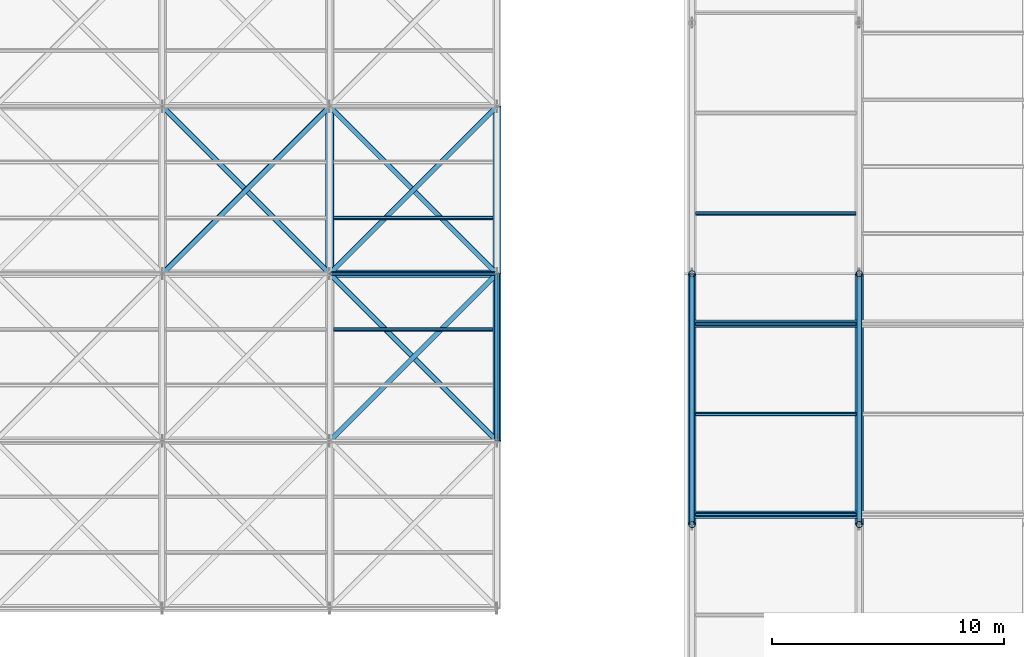
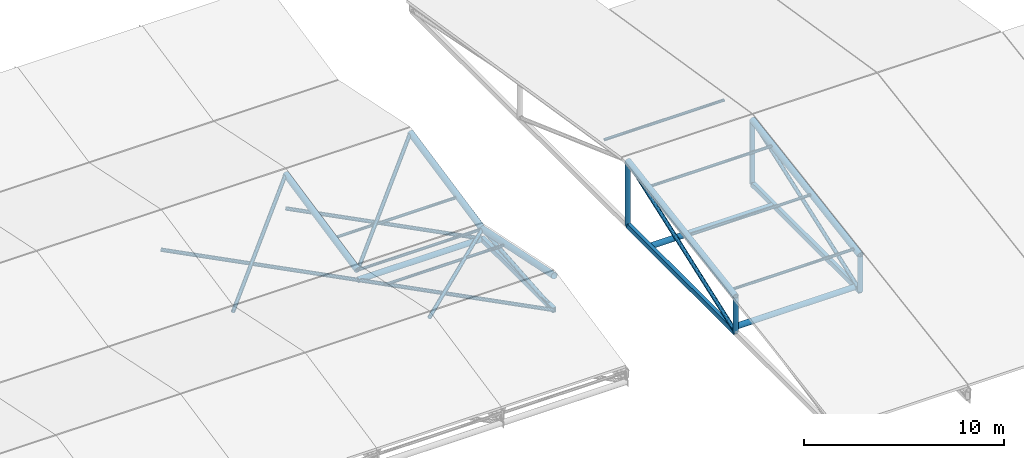
# One storey, part 32 of 72: 23 members, 8 beams.
"""IFC4 building model written with IfcOpenShell, lengths in metres."""

from ifc_helpers import new_model, si_unit, direction, frame, origin, origin_2d, place, context, subcontext, project, spatial, hollow_rectangle, hollow_circle, extrude, material, material_profile, profile_set, type_object, element, save


model = new_model("IFC4")

# Units and contexts
model_context = context("Model", 3, precision=1e-05, world=origin(), true_north=direction((0.0, 1.0)))
body_context = subcontext(model_context, "Body", "Model", "MODEL_VIEW")
ifc_project = project(units=[si_unit("LENGTHUNIT", "METRE"), si_unit("AREAUNIT", "SQUARE_METRE"), si_unit("VOLUMEUNIT", "CUBIC_METRE"), si_unit("PLANEANGLEUNIT", "RADIAN"), si_unit("MASSUNIT", "GRAM", prefix="KILO")], contexts=[model_context])

# Site, building, storey
site_placement = place(None, origin())
site = spatial("IfcSite", under=ifc_project, at=site_placement, CompositionType="ELEMENT")
building_placement = place(site_placement, origin())
building = spatial("IfcBuilding", under=site, at=building_placement, Name="Vaelcorin Mobility Hub", CompositionType="ELEMENT")
storey_placement = place(building_placement, frame((0.0, 0.0, 25.800048828125)))
storey = spatial("IfcBuildingStorey", under=building, at=storey_placement, Name="RF", CompositionType="ELEMENT", Elevation=25.800048828125)

# Members
ifc_material = material(Name="Steel ASTM A500 Grade C", Category="steel")
ifc_material_profile_1 = material_profile(ifc_material, hollow_circle(Radius=0.161865234375, WallThickness=0.0126953125, at=origin_2d()), Name="HSS12.750X0.500")
ifc_profile_set_1 = profile_set([ifc_material_profile_1], Name="Steel ASTM A500 Grade C")
member_type_1 = type_object("IfcMemberType", Name="SF-CHORD-12", PredefinedType="CHORD", material=ifc_profile_set_1)
member_1_placement = place(storey_placement, frame((108.0, 98.39990234375, -2.10009765625), z_axis=(1.0, 0.0, 0.0), x_axis=(0.0, 1.0, 0.0)))
element("IfcMember", 1, at=member_1_placement, inside=storey, type_object=member_type_1, Name="Sports Truss Lower Tie Strut 11-2", PredefinedType="CHORD", context=body_context, shape_type="SweptSolid", body=[
    extrude(hollow_circle(Radius=0.161865234375, WallThickness=0.0126953125, at=origin_2d()), origin(), (0.0, 0.0, 1.0), 7.199951171875),
])
for number, where, z_axis, x_axis, name in (
    (2, (123.697998046875, 88.031982421875, -4.199951171875), (1.0, 0.0, 0.0), (0.0, 1.0, 0.0), "V2E Drum Truss Tie Strut 1-3"),
    (3, (123.697998046875, 96.239990234375, -4.199951171875), (1.0, 0.0, 0.0), (0.0, 1.0, 0.0), "V2E Drum Truss Tie Strut 1-5"),
):
    element("IfcMember", number, at=place(storey_placement, frame(where, z_axis=z_axis, x_axis=x_axis)), inside=storey, type_object=member_type_1, Name=name, PredefinedType="CHORD", context=body_context, shape_type="SweptSolid", body=[
        extrude(hollow_circle(Radius=0.161865234375, WallThickness=0.0126953125, at=origin_2d()), origin(), (0.0, 0.0, 1.0), 7.00390625),
    ])
ifc_material_profile_2 = material_profile(ifc_material, hollow_circle(Radius=0.109619140625, WallThickness=0.009521484375, at=origin_2d()), Name="HSS8.625X0.375")
ifc_profile_set_2 = profile_set([ifc_material_profile_2], Name="Steel ASTM A500 Grade C")
member_type_2 = type_object("IfcMemberType", Name="SF-DIAG-8", PredefinedType="BRACE", material=ifc_profile_set_2)
member_2_placement = place(storey_placement, frame((100.800048828125, 98.39990234375, -1.5), z_axis=(0.699545135531, 0.699568856162, 0.145739558262), x_axis=(-0.7071187694, 0.70709479277, 0.0)))
element("IfcMember", 4, at=member_2_placement, inside=storey, type_object=member_type_2, Name="Sports Roof Space-Truss Plan Brace 10-3", PredefinedType="BRACE", context=body_context, shape_type="SweptSolid", body=[
    extrude(hollow_circle(Radius=0.109619140625, WallThickness=0.009521484375, at=origin_2d()), origin(), (0.0, 0.0, 1.0), 10.292236328125),
])
member_3_placement = place(storey_placement, frame((108.0, 98.39990234375, -2.10009765625), z_axis=(-0.70709479277, 0.7071187694, 0.0), x_axis=(-0.7071187694, -0.70709479277, 0.0)))
element("IfcMember", 5, at=member_3_placement, inside=storey, type_object=member_type_2, Name="Sports Truss Lower Plan Brace 10-3", PredefinedType="BRACE", context=body_context, shape_type="SweptSolid", body=[
    extrude(hollow_circle(Radius=0.109619140625, WallThickness=0.009521484375, at=origin_2d()), origin(), (0.0, 0.0, 1.0), 10.182373046875),
])
member_4_placement = place(storey_placement, frame((108.0, 91.199951171875, 0.0), z_axis=(0.699556744026, 0.699556744026, -0.145741976715), x_axis=(-0.707106781187, 0.707106781187, 0.0)))
element("IfcMember", 6, at=member_4_placement, inside=storey, type_object=member_type_2, Name="Sports Roof Space-Truss Plan Brace 11-2", PredefinedType="BRACE", context=body_context, shape_type="SweptSolid", body=[
    extrude(hollow_circle(Radius=0.109619140625, WallThickness=0.009521484375, at=origin_2d()), origin(), (0.0, 0.0, 1.0), 10.292236328125),
])
member_5_placement = place(storey_placement, frame((115.199951171875, 91.199951171875, -2.10009765625), z_axis=(-0.707106781187, 0.707106781187, 0.0), x_axis=(-0.707106781187, -0.707106781187, 0.0)))
element("IfcMember", 7, at=member_5_placement, inside=storey, type_object=member_type_2, Name="Sports Truss Lower Plan Brace 11-2", PredefinedType="BRACE", context=body_context, shape_type="SweptSolid", body=[
    extrude(hollow_circle(Radius=0.109619140625, WallThickness=0.009521484375, at=origin_2d()), origin(), (0.0, 0.0, 1.0), 10.182373046875),
])
member_6_placement = place(storey_placement, frame((108.0, 98.39990234375, -1.5), z_axis=(0.699545135531, 0.699568856162, 0.145739558262), x_axis=(-0.7071187694, 0.70709479277, 0.0)))
element("IfcMember", 8, at=member_6_placement, inside=storey, type_object=member_type_2, Name="Sports Roof Space-Truss Plan Brace 11-3", PredefinedType="BRACE", context=body_context, shape_type="SweptSolid", body=[
    extrude(hollow_circle(Radius=0.109619140625, WallThickness=0.009521484375, at=origin_2d()), origin(), (0.0, 0.0, 1.0), 10.292236328125),
])
member_7_placement = place(storey_placement, frame((115.199951171875, 98.39990234375, -2.10009765625), z_axis=(-0.70709479277, 0.7071187694, 0.0), x_axis=(-0.7071187694, -0.70709479277, 0.0)))
element("IfcMember", 9, at=member_7_placement, inside=storey, type_object=member_type_2, Name="Sports Truss Lower Plan Brace 11-3", PredefinedType="BRACE", context=body_context, shape_type="SweptSolid", body=[
    extrude(hollow_circle(Radius=0.109619140625, WallThickness=0.009521484375, at=origin_2d()), origin(), (0.0, 0.0, 1.0), 10.182373046875),
])
ifc_material_profile_3 = material_profile(ifc_material, hollow_circle(Radius=0.136474609375, WallThickness=0.0126953125, at=origin_2d()), Name="HSS10.750X0.500")
ifc_profile_set_3 = profile_set([ifc_material_profile_3], Name="Steel ASTM A500 Grade C")
member_type_3 = type_object("IfcMemberType", Name="SF-POST-10", PredefinedType="POST", material=ifc_profile_set_3)
member_8_placement = place(storey_placement, frame((123.60009765625, 87.60009765625, -4.199951171875), z_axis=(0.0, 0.0, 1.0), x_axis=(1.0, 0.0, 0.0)))
element("IfcMember", 10, at=member_8_placement, inside=storey, type_object=member_type_3, Name="V2E Drum Roof Truss Post 1-1", PredefinedType="POST", context=body_context, shape_type="SweptSolid", body=[
    extrude(hollow_circle(Radius=0.136474609375, WallThickness=0.0126953125, at=origin_2d()), origin(), (0.0, 0.0, 1.0), 2.171875),
])
member_9_placement = place(storey_placement, frame((123.60009765625, 98.39990234375, -4.199951171875), z_axis=(0.0, 0.0, 1.0), x_axis=(1.0, 0.0, 0.0)))
element("IfcMember", 11, at=member_9_placement, inside=storey, type_object=member_type_3, Name="V2E Drum Roof Truss Post 1-2", PredefinedType="POST", context=body_context, shape_type="SweptSolid", body=[
    extrude(hollow_circle(Radius=0.136474609375, WallThickness=0.0126953125, at=origin_2d()), origin(), (0.0, 0.0, 1.0), 3.89990234375),
])
member_10_placement = place(storey_placement, frame((130.800048828125, 87.60009765625, -4.199951171875), z_axis=(0.0, 0.0, 1.0), x_axis=(1.0, 0.0, 0.0)))
element("IfcMember", 12, at=member_10_placement, inside=storey, type_object=member_type_3, Name="V2E Drum Roof Truss Post 2-1", PredefinedType="POST", context=body_context, shape_type="SweptSolid", body=[
    extrude(hollow_circle(Radius=0.136474609375, WallThickness=0.0126953125, at=origin_2d()), origin(), (0.0, 0.0, 1.0), 2.171875),
])
member_11_placement = place(storey_placement, frame((130.800048828125, 98.39990234375, -4.199951171875), z_axis=(0.0, 0.0, 1.0), x_axis=(1.0, 0.0, 0.0)))
element("IfcMember", 13, at=member_11_placement, inside=storey, type_object=member_type_3, Name="V2E Drum Roof Truss Post 2-2", PredefinedType="POST", context=body_context, shape_type="SweptSolid", body=[
    extrude(hollow_circle(Radius=0.136474609375, WallThickness=0.0126953125, at=origin_2d()), origin(), (0.0, 0.0, 1.0), 3.89990234375),
])
ifc_material_profile_4 = material_profile(ifc_material, hollow_circle(Radius=0.084228515625, WallThickness=0.0078125, at=origin_2d()), Name="HSS6.625X0.312")
ifc_profile_set_4 = profile_set([ifc_material_profile_4], Name="Steel ASTM A500 Grade C")
member_type_4 = type_object("IfcMemberType", Name="SF-PURL-6", PredefinedType="PURLIN", material=ifc_profile_set_4)
member_12_placement = place(storey_placement, frame((108.0, 98.39990234375, -1.5), z_axis=(1.0, 0.0, 0.0), x_axis=(0.0, 1.0, 0.0)))
element("IfcMember", 14, at=member_12_placement, inside=storey, type_object=member_type_4, Name="Sports Pavilion Roof Purlin 11-2", PredefinedType="PURLIN", context=body_context, shape_type="SweptSolid", body=[
    extrude(hollow_circle(Radius=0.084228515625, WallThickness=0.0078125, at=origin_2d()), origin(), (0.0, 0.0, 1.0), 7.199951171875),
])
for number, where, z_axis, x_axis, name in (
    (15, (108.159912109375, 96.0, -1.0), (1.0, 0.0, 0.0), (0.0, 1.0, 0.0), "Sports Roof Secondary Purlin 11-2-2"),
    (16, (108.159912109375, 100.800048828125, -1.0), (1.0, 0.0, 0.0), (0.0, 1.0, 0.0), "Sports Roof Secondary Purlin 11-3-1"),
):
    element("IfcMember", number, at=place(storey_placement, frame(where, z_axis=z_axis, x_axis=x_axis)), inside=storey, type_object=member_type_4, Name=name, PredefinedType="PURLIN", context=body_context, shape_type="SweptSolid", body=[
        extrude(hollow_circle(Radius=0.084228515625, WallThickness=0.0078125, at=origin_2d()), origin(), (0.0, 0.0, 1.0), 6.880126953125),
    ])
for number, where, z_axis, x_axis, name in (
    (17, (123.739990234375, 88.031982421875, -1.864013671875), (1.0, 0.0, 0.0), (0.0, 1.0, 0.0), "V2E Drum Roof Purlin 1-1-3"),
    (18, (123.739990234375, 92.35205078125, -1.173095703125), (1.0, 0.0, 0.0), (0.0, 1.0, 0.0), "V2E Drum Roof Purlin 1-1-4"),
    (19, (123.739990234375, 96.239990234375, -0.551025390625), (1.0, 0.0, 0.0), (0.0, 1.0, 0.0), "V2E Drum Roof Purlin 1-1-5"),
    (20, (123.739990234375, 100.991943359375, -0.6201171875), (1.0, 0.0, 0.0), (0.0, 1.0, 0.0), "V2E Drum Roof Purlin 1-2-1"),
):
    element("IfcMember", number, at=place(storey_placement, frame(where, z_axis=z_axis, x_axis=x_axis)), inside=storey, type_object=member_type_4, Name=name, PredefinedType="PURLIN", context=body_context, shape_type="SweptSolid", body=[
        extrude(hollow_circle(Radius=0.084228515625, WallThickness=0.0078125, at=origin_2d()), origin(), (0.0, 0.0, 1.0), 6.919921875),
    ])

# Beams
ifc_material_profile_5 = material_profile(ifc_material, hollow_circle(Radius=0.177734375, WallThickness=0.0126953125, at=origin_2d()), Name="HSS14.000X0.500")
ifc_profile_set_5 = profile_set([ifc_material_profile_5], Name="Steel ASTM A500 Grade C")
beam_type_1 = type_object("IfcBeamType", Name="TR-CHORD-14", PredefinedType="BEAM", material=ifc_profile_set_5)
beam_1_placement = place(storey_placement, frame((108.0, 98.39990234375, -1.5), z_axis=(0.0, 0.978981524376, 0.203948951776), x_axis=(-1.0, 0.0, 0.0)))
element("IfcBeam", 21, at=beam_1_placement, inside=storey, type_object=beam_type_1, Name="Sports Pavilion Roof Truss Upper Chord 10-3", PredefinedType="BEAM", context=body_context, shape_type="SweptSolid", body=[
    extrude(hollow_circle(Radius=0.177734375, WallThickness=0.0126953125, at=origin_2d()), origin(), (0.0, 0.0, 1.0), 7.354736328125),
])
beam_2_placement = place(storey_placement, frame((115.199951171875, 91.199951171875, 0.0), z_axis=(0.0, 0.978980143565, -0.203955579738), x_axis=(-1.0, 0.0, 0.0)))
element("IfcBeam", 22, at=beam_2_placement, inside=storey, type_object=beam_type_1, Name="Sports Pavilion Roof Truss Upper Chord 11-2", PredefinedType="BEAM", context=body_context, shape_type="SweptSolid", body=[
    extrude(hollow_circle(Radius=0.177734375, WallThickness=0.0126953125, at=origin_2d()), origin(), (0.0, 0.0, 1.0), 7.3544921875),
])
beam_3_placement = place(storey_placement, frame((115.199951171875, 98.39990234375, -1.5), z_axis=(0.0, 0.978981524376, 0.203948951776), x_axis=(-1.0, 0.0, 0.0)))
element("IfcBeam", 23, at=beam_3_placement, inside=storey, type_object=beam_type_1, Name="Sports Pavilion Roof Truss Upper Chord 11-3", PredefinedType="BEAM", context=body_context, shape_type="SweptSolid", body=[
    extrude(hollow_circle(Radius=0.177734375, WallThickness=0.0126953125, at=origin_2d()), origin(), (0.0, 0.0, 1.0), 7.354736328125),
])
for number, where, z_axis, x_axis, name in (
    (24, (123.60009765625, 87.60009765625, -2.028076171875), (0.0, 0.987439796131, 0.157995724682), (-1.0, 0.0, 0.0), "V2E Drum Roof Truss Upper Chord 1-2"),
    (25, (130.800048828125, 87.60009765625, -2.028076171875), (0.0, 0.987439796131, 0.157995724682), (-1.0, 0.0, 0.0), "V2E Drum Roof Truss Upper Chord 2-2"),
):
    element("IfcBeam", number, at=place(storey_placement, frame(where, z_axis=z_axis, x_axis=x_axis)), inside=storey, type_object=beam_type_1, Name=name, PredefinedType="BEAM", context=body_context, shape_type="SweptSolid", body=[
        extrude(hollow_circle(Radius=0.177734375, WallThickness=0.0126953125, at=origin_2d()), origin(), (0.0, 0.0, 1.0), 10.937255859375),
    ])
ifc_material_profile_6 = material_profile(ifc_material, hollow_rectangle(XDim=0.203125, YDim=0.3046875, WallThickness=0.01171875, at=origin_2d()), Name="HSS12X8X0.500")
ifc_profile_set_6 = profile_set([ifc_material_profile_6], Name="Steel ASTM A500 Grade C")
beam_type_2 = type_object("IfcBeamType", Name="TR-CHORD-RHS12", PredefinedType="BEAM", material=ifc_profile_set_6)
beam_4_placement = place(storey_placement, frame((115.199951171875, 91.199951171875, -2.10009765625), z_axis=(0.0, 1.0, 0.0), x_axis=(-1.0, 0.0, 0.0)))
element("IfcBeam", 26, at=beam_4_placement, inside=storey, type_object=beam_type_2, Name="Sports Pavilion Roof Truss Bottom Chord 11-2", PredefinedType="BEAM", context=body_context, shape_type="SweptSolid", body=[
    extrude(hollow_rectangle(XDim=0.203125, YDim=0.3046875, WallThickness=0.01171875, at=origin_2d()), origin(), (0.0, 0.0, 1.0), 7.199951171875),
])
for number, where, z_axis, x_axis, name in (
    (27, (123.60009765625, 87.60009765625, -4.199951171875), (0.0, 1.0, 0.0), (-1.0, 0.0, 0.0), "V2E Drum Roof Truss Lower Chord 1-2"),
    (28, (130.800048828125, 87.60009765625, -4.199951171875), (0.0, 1.0, 0.0), (-1.0, 0.0, 0.0), "V2E Drum Roof Truss Lower Chord 2-2"),
):
    element("IfcBeam", number, at=place(storey_placement, frame(where, z_axis=z_axis, x_axis=x_axis)), inside=storey, type_object=beam_type_2, Name=name, PredefinedType="BEAM", context=body_context, shape_type="SweptSolid", body=[
        extrude(hollow_rectangle(XDim=0.203125, YDim=0.3046875, WallThickness=0.01171875, at=origin_2d()), origin(), (0.0, 0.0, 1.0), 10.7998046875),
    ])

# Members
ifc_material_profile_7 = material_profile(ifc_material, hollow_circle(Radius=0.109619140625, WallThickness=0.009521484375, at=origin_2d()), Name="HSS8.625X0.375")
ifc_profile_set_7 = profile_set([ifc_material_profile_7], Name="Steel ASTM A500 Grade C")
member_type_5 = type_object("IfcMemberType", Name="TR-WEB-8", PredefinedType="BRACE", material=ifc_profile_set_7)
member_13_placement = place(storey_placement, frame((115.199951171875, 91.199951171875, -2.10009765625), z_axis=(0.0, 0.996544592923, 0.083059462528), x_axis=(-1.0, 0.0, 0.0)))
element("IfcMember", 29, at=member_13_placement, inside=storey, type_object=member_type_5, Name="Sports Pavilion Roof Truss Diagonal 11-2", PredefinedType="BRACE", context=body_context, shape_type="SweptSolid", body=[
    extrude(hollow_circle(Radius=0.109619140625, WallThickness=0.009521484375, at=origin_2d()), origin(), (0.0, 0.0, 1.0), 7.224853515625),
])
for number, where, z_axis, x_axis, name in (
    (30, (123.60009765625, 87.60009765625, -4.199951171875), (0.0, 0.940554654389, 0.33964237384), (-1.0, 0.0, 0.0), "V2E Drum Roof Truss Web Diagonal 1-2"),
    (31, (130.800048828125, 87.60009765625, -4.199951171875), (0.0, 0.940554654389, 0.33964237384), (-1.0, 0.0, 0.0), "V2E Drum Roof Truss Web Diagonal 2-2"),
):
    element("IfcMember", number, at=place(storey_placement, frame(where, z_axis=z_axis, x_axis=x_axis)), inside=storey, type_object=member_type_5, Name=name, PredefinedType="BRACE", context=body_context, shape_type="SweptSolid", body=[
        extrude(hollow_circle(Radius=0.109619140625, WallThickness=0.009521484375, at=origin_2d()), origin(), (0.0, 0.0, 1.0), 11.482421875),
    ])

save(model, "model.ifc")
